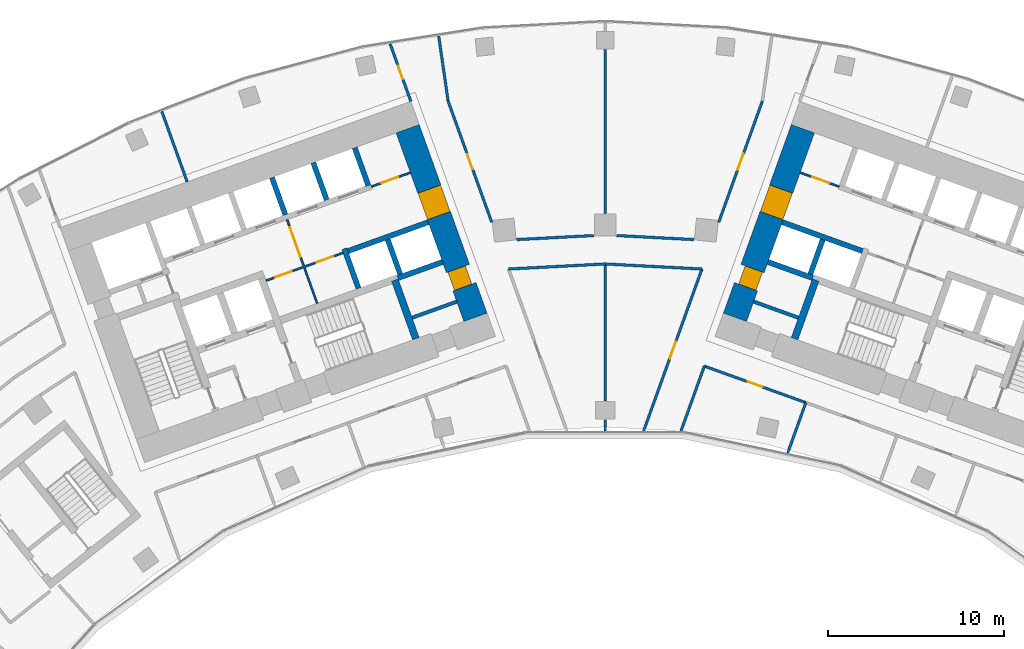
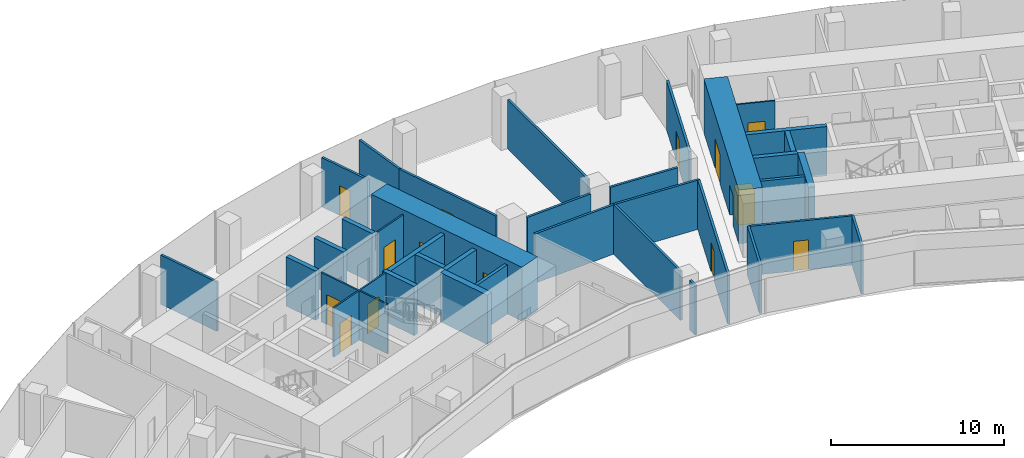
# One storey, part 15 of 21: 36 walls, 14 doors, 14 openings.
"""IFC4 building model written with IfcOpenShell, lengths in metres."""

from ifc_helpers import new_model, si_unit, direction, frame, frame_2d, origin, place, context, subcontext, project, spatial, rectangle, extrude, material, layer, layer_set, type_object, element, fill, save


model = new_model("IFC4")

# Units and contexts
model_context = context("Model", 3, precision=1e-05, world=origin(), true_north=direction((0.0, 1.0)))
body_context = subcontext(model_context, "Body", "Model", "MODEL_VIEW")
ifc_project = project(units=[si_unit("LENGTHUNIT", "METRE"), si_unit("AREAUNIT", "SQUARE_METRE"), si_unit("VOLUMEUNIT", "CUBIC_METRE"), si_unit("PLANEANGLEUNIT", "RADIAN"), si_unit("MASSUNIT", "GRAM", prefix="KILO")], contexts=[model_context])

# Site, building, storey
site_placement = place(None, origin())
site = spatial("IfcSite", under=ifc_project, at=site_placement, CompositionType="ELEMENT")
building_placement = place(site_placement, origin())
building = spatial("IfcBuilding", under=site, at=building_placement, Name="Stone Belt Terrace Tower", CompositionType="ELEMENT")
storey_placement = place(building_placement, frame((0.0, 0.0, 151.60009765625)))
storey = spatial("IfcBuildingStorey", under=building, at=storey_placement, Name="L36", CompositionType="ELEMENT", Elevation=151.60009765625)

# Wall, openings, doors
ifc_material_1 = material(Name="Plasterboard partition")
ifc_layer_1 = layer(ifc_material_1, 0.10009765625)
ifc_layer_set_1 = layer_set([ifc_layer_1], Name="Core partition 100")
wall_type_1 = type_object("IfcWallType", Name="Core partition 100", PredefinedType="PARTITIONING", material=ifc_layer_set_1)
wall_1_placement = place(storey_placement, frame((-19.29052734375, 51.829833984375, 0.0), z_axis=(0.0, 0.0, 1.0), x_axis=(0.940930240745, 0.338600475563, 0.0)))
wall_1 = element("IfcWall", 1, at=wall_1_placement, inside=storey, type_object=wall_type_1, Name="Core A wall", PredefinedType="PARTITIONING", context=body_context, shape_type="SweptSolid", body=[
    extrude(rectangle(XDim=4.64990234375, YDim=0.10009765625, at=frame_2d((2.324951171875, 0.0))), origin(), (0.0, 0.0, 1.0), 3.47998046875),
])
opening_1_placement = place(wall_1_placement, frame((0.550048828125, 0.0, 0.0)))
opening_1 = element("IfcOpeningElement", 2, at=opening_1_placement, cuts=wall_1, Name="Opening L36-C02", PredefinedType="OPENING", context=body_context, shape_type="SweptSolid", body=[
    extrude(rectangle(XDim=1.0, YDim=2.10009765625, at=frame_2d((0.5, 1.050048828125))), frame((0.0, 0.06005859375, 0.0), z_axis=(0.0, -1.0, 0.0), x_axis=(1.0, 0.0, 0.0)), (0.0, 0.0, 1.0), 0.1201171875),
])
opening_2_placement = place(wall_1_placement, frame((3.050048828125, 0.0, 0.0)))
opening_2 = element("IfcOpeningElement", 3, at=opening_2_placement, cuts=wall_1, Name="Opening L36-C03", PredefinedType="OPENING", context=body_context, shape_type="SweptSolid", body=[
    extrude(rectangle(XDim=1.0, YDim=2.10009765625, at=frame_2d((0.5, 1.050048828125))), frame((0.0, 0.06005859375, 0.0), z_axis=(0.0, -1.0, 0.0), x_axis=(1.0, 0.0, 0.0)), (0.0, 0.0, 1.0), 0.1201171875),
])
ifc_material_2 = material(Name="Timber door leaf", Category="wood")
door_type_1 = type_object("IfcDoorType", Name="Core room door 1000", OperationType="SINGLE_SWING_LEFT", PredefinedType="DOOR", material=ifc_material_2)
door_1_placement = place(opening_1_placement, origin())
door_1 = element("IfcDoor", 4, at=door_1_placement, inside=storey, type_object=door_type_1, Name="Door to Services store core A", OperationType="SINGLE_SWING_RIGHT", OverallHeight=2.10009765625, OverallWidth=1.0, PredefinedType="DOOR", context=body_context, shape_type="SweptSolid", body=[
    extrude(rectangle(XDim=1.0, YDim=2.10009765625, at=frame_2d((0.5, 1.050048828125))), frame((0.0, 0.02490234375, 0.0), z_axis=(0.0, -1.0, 0.0), x_axis=(1.0, 0.0, 0.0)), (0.0, 0.0, 1.0), 0.050048828125),
])
fill(opening_1, door_1)
door_2_placement = place(opening_2_placement, origin())
door_2 = element("IfcDoor", 5, at=door_2_placement, inside=storey, type_object=door_type_1, Name="Door to Server room core A", OperationType="SINGLE_SWING_LEFT", OverallHeight=2.10009765625, OverallWidth=1.0, PredefinedType="DOOR", context=body_context, shape_type="SweptSolid", body=[
    extrude(rectangle(XDim=1.0, YDim=2.10009765625, at=frame_2d((0.5, 1.050048828125))), frame((0.0, 0.02490234375, 0.0), z_axis=(0.0, -1.0, 0.0), x_axis=(1.0, 0.0, 0.0)), (0.0, 0.0, 1.0), 0.050048828125),
])
fill(opening_2, door_2)

# Wall, opening, door
wall_2_placement = place(storey_placement, frame((-16.38134765625, 50.53857421875, 0.0), z_axis=(0.0, 0.0, 1.0), x_axis=(-0.33860476744, 0.940928696271, 0.0)))
wall_2 = element("IfcWall", 6, at=wall_2_placement, inside=storey, type_object=wall_type_1, Name="Core A wall", PredefinedType="PARTITIONING", context=body_context, shape_type="SweptSolid", body=[
    extrude(rectangle(XDim=5.050048828125, YDim=0.10009765625, at=frame_2d((2.52490234375, 0.0))), origin(), (0.0, 0.0, 1.0), 3.47998046875),
])
opening_3_placement = place(wall_2_placement, frame((2.800048828125, 0.0, 0.0)))
opening_3 = element("IfcOpeningElement", 7, at=opening_3_placement, cuts=wall_2, Name="Opening L36-C06", PredefinedType="OPENING", context=body_context, shape_type="SweptSolid", body=[
    extrude(rectangle(XDim=1.800048828125, YDim=2.10009765625, at=frame_2d((0.89990234375, 1.050048828125))), frame((0.0, 0.06005859375, 0.0), z_axis=(0.0, -1.0, 0.0), x_axis=(1.0, 0.0, 0.0)), (0.0, 0.0, 1.0), 0.1201171875),
])
ifc_material_3 = material(Name="Glazed aluminium door leaf", Category="aluminium")
door_type_2 = type_object("IfcDoorType", Name="Lift lobby entrance door 1800", OperationType="DOUBLE_DOOR_SINGLE_SWING", PredefinedType="DOOR", material=ifc_material_3)
door_3_placement = place(opening_3_placement, origin())
door_3 = element("IfcDoor", 8, at=door_3_placement, inside=storey, type_object=door_type_2, Name="Lift lobby double door core A", OperationType="DOUBLE_DOOR_SINGLE_SWING", OverallHeight=2.10009765625, OverallWidth=1.800048828125, PredefinedType="DOOR", context=body_context, shape_type="SweptSolid", body=[
    extrude(rectangle(XDim=1.800048828125, YDim=2.10009765625, at=frame_2d((0.89990234375, 1.050048828125))), frame((0.0, 0.02490234375, 0.0), z_axis=(0.0, -1.0, 0.0), x_axis=(1.0, 0.0, 0.0)), (0.0, 0.0, 1.0), 0.050048828125),
])
fill(opening_3, door_3)

wall_3_placement = place(storey_placement, frame((-13.29638671875, 57.17529296875, 0.0), z_axis=(0.0, 0.0, 1.0), x_axis=(0.940904627055, 0.338671644496, 0.0)))
wall_3 = element("IfcWall", 9, at=wall_3_placement, inside=storey, type_object=wall_type_1, Name="Core A wall", PredefinedType="PARTITIONING", context=body_context, shape_type="SweptSolid", body=[
    extrude(rectangle(XDim=2.35009765625, YDim=0.10009765625, at=frame_2d((1.175048828125, 0.0))), origin(), (0.0, 0.0, 1.0), 3.47998046875),
])
opening_4_placement = place(wall_3_placement, frame((0.60009765625, 0.0, 0.0)))
opening_4 = element("IfcOpeningElement", 10, at=opening_4_placement, cuts=wall_3, Name="Opening L36-C01", PredefinedType="OPENING", context=body_context, shape_type="SweptSolid", body=[
    extrude(rectangle(XDim=1.0, YDim=2.10009765625, at=frame_2d((0.5, 1.050048828125))), frame((0.0, 0.06005859375, 0.0), z_axis=(0.0, -1.0, 0.0), x_axis=(1.0, 0.0, 0.0)), (0.0, 0.0, 1.0), 0.1201171875),
])
door_4_placement = place(opening_4_placement, origin())
door_4 = element("IfcDoor", 11, at=door_4_placement, inside=storey, type_object=door_type_1, Name="Door to Ventilation plant room core A", OperationType="SINGLE_SWING_RIGHT", OverallHeight=2.10009765625, OverallWidth=1.0, PredefinedType="DOOR", context=body_context, shape_type="SweptSolid", body=[
    extrude(rectangle(XDim=1.0, YDim=2.10009765625, at=frame_2d((0.5, 1.050048828125))), frame((0.0, 0.02490234375, 0.0), z_axis=(0.0, -1.0, 0.0), x_axis=(1.0, 0.0, 0.0)), (0.0, 0.0, 1.0), 0.050048828125),
])
fill(opening_4, door_4)

wall_4_placement = place(storey_placement, frame((13.29638671875, 57.17529296875, 0.0), z_axis=(0.0, 0.0, 1.0), x_axis=(-0.940904627055, 0.338671644496, 0.0)))
wall_4 = element("IfcWall", 12, at=wall_4_placement, inside=storey, type_object=wall_type_1, Name="Core B wall", PredefinedType="PARTITIONING", context=body_context, shape_type="SweptSolid", body=[
    extrude(rectangle(XDim=2.35009765625, YDim=0.10009765625, at=frame_2d((1.175048828125, 0.0))), origin(), (0.0, 0.0, 1.0), 3.47998046875),
])
opening_5_placement = place(wall_4_placement, frame((0.60009765625, 0.0, 0.0)))
opening_5 = element("IfcOpeningElement", 13, at=opening_5_placement, cuts=wall_4, Name="Opening L36-C15", PredefinedType="OPENING", context=body_context, shape_type="SweptSolid", body=[
    extrude(rectangle(XDim=1.0, YDim=2.10009765625, at=frame_2d((0.5, 1.050048828125))), frame((0.0, 0.06005859375, 0.0), z_axis=(0.0, -1.0, 0.0), x_axis=(1.0, 0.0, 0.0)), (0.0, 0.0, 1.0), 0.1201171875),
])
door_5_placement = place(opening_5_placement, origin())
door_5 = element("IfcDoor", 14, at=door_5_placement, inside=storey, type_object=door_type_1, Name="Door to Ventilation plant room core B", OperationType="SINGLE_SWING_LEFT", OverallHeight=2.10009765625, OverallWidth=1.0, PredefinedType="DOOR", context=body_context, shape_type="SweptSolid", body=[
    extrude(rectangle(XDim=1.0, YDim=2.10009765625, at=frame_2d((0.5, 1.050048828125))), frame((0.0, 0.02490234375, 0.0), z_axis=(0.0, -1.0, 0.0), x_axis=(1.0, 0.0, 0.0)), (0.0, 0.0, 1.0), 0.050048828125),
])
fill(opening_5, door_5)

# Wall, openings, doors
ifc_material_4 = material(Name="Concrete B80", Category="concrete")
ifc_layer_2 = layer(ifc_material_4, 1.39990234375)
ifc_layer_set_2 = layer_set([ifc_layer_2], Name="Core wall 1400 B80")
wall_type_2 = type_object("IfcWallType", Name="Core wall 1400 B80", PredefinedType="SHEAR", material=ifc_layer_set_2)
wall_5_placement = place(storey_placement, frame((-7.379150390625, 49.73974609375, 0.0), z_axis=(0.0, 0.0, 1.0), x_axis=(-0.338625431531, 0.940921259788, 0.0)))
wall_5 = element("IfcWall", 15, at=wall_5_placement, inside=storey, type_object=wall_type_2, Name="Core A wall end_b L36", PredefinedType="SHEAR", context=body_context, shape_type="SweptSolid", body=[
    extrude(rectangle(XDim=11.400146484375, YDim=1.39990234375, at=frame_2d((5.7001953125, 0.0))), origin(), (0.0, 0.0, 1.0), 3.7998046875),
])
opening_6_placement = place(wall_5_placement, frame((6.14990234375, 0.0, 0.0)))
opening_6 = element("IfcOpeningElement", 16, at=opening_6_placement, cuts=wall_5, Name="Opening L36-C07", PredefinedType="OPENING", context=body_context, shape_type="SweptSolid", body=[
    extrude(rectangle(XDim=1.60009765625, YDim=2.10009765625, at=frame_2d((0.800048828125, 1.050048828125))), frame((0.0, 0.7099609375, 0.0), z_axis=(0.0, -1.0, 0.0), x_axis=(1.0, 0.0, 0.0)), (0.0, 0.0, 1.0), 1.419921875),
])
opening_7_placement = place(wall_5_placement, frame((1.85009765625, 0.0, 0.0)))
opening_7 = element("IfcOpeningElement", 17, at=opening_7_placement, cuts=wall_5, Name="Opening L36-C13", PredefinedType="OPENING", context=body_context, shape_type="SweptSolid", body=[
    extrude(rectangle(XDim=1.10009765625, YDim=2.10009765625, at=frame_2d((0.550048828125, 1.050048828125))), frame((0.0, 0.7099609375, 0.0), z_axis=(0.0, -1.0, 0.0), x_axis=(1.0, 0.0, 0.0)), (0.0, 0.0, 1.0), 1.419921875),
])
door_type_3 = type_object("IfcDoorType", Name="Core room door 1100", OperationType="SINGLE_SWING_LEFT", PredefinedType="DOOR", material=ifc_material_2)
door_6_placement = place(opening_7_placement, origin())
door_6 = element("IfcDoor", 18, at=door_6_placement, inside=storey, type_object=door_type_3, Name="Door to Accessible WC core A", OperationType="SINGLE_SWING_LEFT", OverallHeight=2.10009765625, OverallWidth=1.10009765625, PredefinedType="DOOR", context=body_context, shape_type="SweptSolid", body=[
    extrude(rectangle(XDim=1.10009765625, YDim=2.10009765625, at=frame_2d((0.550048828125, 1.050048828125))), frame((0.0, 0.60498046875, 0.0), z_axis=(0.0, -1.0, 0.0), x_axis=(1.0, 0.0, 0.0)), (0.0, 0.0, 1.0), 1.050048828125),
])
fill(opening_7, door_6)
door_type_4 = type_object("IfcDoorType", Name="Lift lobby entrance door 1600", OperationType="DOUBLE_DOOR_SINGLE_SWING", PredefinedType="DOOR", material=ifc_material_3)
door_7_placement = place(opening_6_placement, origin())
door_7 = element("IfcDoor", 19, at=door_7_placement, inside=storey, type_object=door_type_4, Name="Lift lobby entrance door core A", OperationType="DOUBLE_DOOR_SINGLE_SWING", OverallHeight=2.10009765625, OverallWidth=1.60009765625, PredefinedType="DOOR", context=body_context, shape_type="SweptSolid", body=[
    extrude(rectangle(XDim=1.60009765625, YDim=2.10009765625, at=frame_2d((0.800048828125, 1.050048828125))), frame((0.0, 0.68017578125, 0.0), z_axis=(0.0, -1.0, 0.0), x_axis=(1.0, 0.0, 0.0)), (0.0, 0.0, 1.0), 1.360107421875),
])
fill(opening_6, door_7)

wall_6_placement = place(storey_placement, frame((7.379150390625, 49.73974609375, 0.0), z_axis=(0.0, 0.0, 1.0), x_axis=(0.338625431531, 0.940921259788, 0.0)))
wall_6 = element("IfcWall", 20, at=wall_6_placement, inside=storey, type_object=wall_type_2, Name="Core B wall end_a L36", PredefinedType="SHEAR", context=body_context, shape_type="SweptSolid", body=[
    extrude(rectangle(XDim=11.400146484375, YDim=1.39990234375, at=frame_2d((5.7001953125, 0.0))), origin(), (0.0, 0.0, 1.0), 3.7998046875),
])
opening_8_placement = place(wall_6_placement, frame((6.14990234375, 0.0, 0.0)))
opening_8 = element("IfcOpeningElement", 21, at=opening_8_placement, cuts=wall_6, Name="Opening L36-C21", PredefinedType="OPENING", context=body_context, shape_type="SweptSolid", body=[
    extrude(rectangle(XDim=1.60009765625, YDim=2.10009765625, at=frame_2d((0.800048828125, 1.050048828125))), frame((0.0, 0.7099609375, 0.0), z_axis=(0.0, -1.0, 0.0), x_axis=(1.0, 0.0, 0.0)), (0.0, 0.0, 1.0), 1.419921875),
])
opening_9_placement = place(wall_6_placement, frame((1.85009765625, 0.0, 0.0)))
opening_9 = element("IfcOpeningElement", 22, at=opening_9_placement, cuts=wall_6, Name="Opening L36-C27", PredefinedType="OPENING", context=body_context, shape_type="SweptSolid", body=[
    extrude(rectangle(XDim=1.10009765625, YDim=2.10009765625, at=frame_2d((0.550048828125, 1.050048828125))), frame((0.0, 0.7099609375, 0.0), z_axis=(0.0, -1.0, 0.0), x_axis=(1.0, 0.0, 0.0)), (0.0, 0.0, 1.0), 1.419921875),
])
door_8_placement = place(opening_9_placement, origin())
door_8 = element("IfcDoor", 23, at=door_8_placement, inside=storey, type_object=door_type_3, Name="Door to Accessible WC core B", OperationType="SINGLE_SWING_RIGHT", OverallHeight=2.10009765625, OverallWidth=1.10009765625, PredefinedType="DOOR", context=body_context, shape_type="SweptSolid", body=[
    extrude(rectangle(XDim=1.10009765625, YDim=2.10009765625, at=frame_2d((0.550048828125, 1.050048828125))), frame((0.0, 0.44482421875, 0.0), z_axis=(0.0, -1.0, 0.0), x_axis=(1.0, 0.0, 0.0)), (0.0, 0.0, 1.0), 1.050048828125),
])
fill(opening_9, door_8)
door_9_placement = place(opening_8_placement, origin())
door_9 = element("IfcDoor", 24, at=door_9_placement, inside=storey, type_object=door_type_4, Name="Lift lobby entrance door core B", OperationType="DOUBLE_DOOR_SINGLE_SWING", OverallHeight=2.10009765625, OverallWidth=1.60009765625, PredefinedType="DOOR", context=body_context, shape_type="SweptSolid", body=[
    extrude(rectangle(XDim=1.60009765625, YDim=2.10009765625, at=frame_2d((0.800048828125, 1.050048828125))), frame((0.0, 0.68017578125, 0.0), z_axis=(0.0, -1.0, 0.0), x_axis=(1.0, 0.0, 0.0)), (0.0, 0.0, 1.0), 1.360107421875),
])
fill(opening_8, door_9)

# Walls
ifc_layer_3 = layer(ifc_material_4, 0.300048828125)
ifc_layer_set_3 = layer_set([ifc_layer_3], Name="Lift shaft wall 300")
wall_type_3 = type_object("IfcWallType", Name="Lift shaft wall 300", PredefinedType="SHEAR", material=ifc_layer_set_3)
wall_7_placement = place(storey_placement, frame((-18.193115234375, 55.572509765625, 0.0), z_axis=(0.0, 0.0, 1.0), x_axis=(-0.338535034312, 0.940953787677, 0.0)))
element("IfcWall", 25, at=wall_7_placement, inside=storey, type_object=wall_type_3, Name="Core A wall", PredefinedType="SHEAR", context=body_context, shape_type="SweptSolid", body=[
    extrude(rectangle(XDim=2.25, YDim=0.300048828125, at=frame_2d((1.125, 0.0))), origin(), (0.0, 0.0, 1.0), 3.47998046875),
])
wall_8_placement = place(storey_placement, frame((-14.029052734375, 51.38525390625, 0.0), z_axis=(0.0, 0.0, 1.0), x_axis=(-0.338661829791, 0.940908159728, 0.0)))
element("IfcWall", 26, at=wall_8_placement, inside=storey, type_object=wall_type_3, Name="Core A wall", PredefinedType="SHEAR", context=body_context, shape_type="SweptSolid", body=[
    extrude(rectangle(XDim=2.39990234375, YDim=0.300048828125, at=frame_2d((1.199951171875, 0.0))), origin(), (0.0, 0.0, 1.0), 3.47998046875),
])
wall_9_placement = place(storey_placement, frame((-14.6328125, 53.506103515625, 0.0), z_axis=(0.0, 0.0, 1.0), x_axis=(0.940931684323, 0.338596464007, 0.0)))
element("IfcWall", 27, at=wall_9_placement, inside=storey, type_object=wall_type_3, Name="Core A wall", PredefinedType="SHEAR", context=body_context, shape_type="SweptSolid", body=[
    extrude(rectangle(XDim=4.849609375, YDim=0.300048828125, at=frame_2d((2.4248046875, 0.0))), origin(), (0.0, 0.0, 1.0), 3.47998046875),
])
wall_10_placement = place(storey_placement, frame((-15.8408203125, 56.419189453125, 0.0), z_axis=(0.0, 0.0, 1.0), x_axis=(-0.338569601369, 0.940941350472, 0.0)))
element("IfcWall", 28, at=wall_10_placement, inside=storey, type_object=wall_type_3, Name="Core A wall", PredefinedType="SHEAR", context=body_context, shape_type="SweptSolid", body=[
    extrude(rectangle(XDim=2.249755859375, YDim=0.300048828125, at=frame_2d((1.125, 0.0))), origin(), (0.0, 0.0, 1.0), 3.47998046875),
])
wall_11_placement = place(storey_placement, frame((-11.797119140625, 51.975830078125, 0.0), z_axis=(0.0, 0.0, 1.0), x_axis=(0.940910465161, 0.33865542451, 0.0)))
element("IfcWall", 29, at=wall_11_placement, inside=storey, type_object=wall_type_3, Name="Core A wall", PredefinedType="SHEAR", context=body_context, shape_type="SweptSolid", body=[
    extrude(rectangle(XDim=2.69970703125, YDim=0.300048828125, at=frame_2d((1.349853515625, 0.0))), origin(), (0.0, 0.0, 1.0), 3.47998046875),
])
wall_12_placement = place(storey_placement, frame((-11.659912109375, 52.184814453125, 0.0), z_axis=(0.0, 0.0, 1.0), x_axis=(-0.338670064856, 0.940905195634, 0.0)))
element("IfcWall", 30, at=wall_12_placement, inside=storey, type_object=wall_type_3, Name="Core A wall", PredefinedType="SHEAR", context=body_context, shape_type="SweptSolid", body=[
    extrude(rectangle(XDim=2.099853515625, YDim=0.300048828125, at=frame_2d((1.0498046875, 0.0))), origin(), (0.0, 0.0, 1.0), 3.47998046875),
])
wall_13_placement = place(storey_placement, frame((-13.471435546875, 57.218505859375, 0.0), z_axis=(0.0, 0.0, 1.0), x_axis=(-0.338587917, 0.940934759939, 0.0)))
element("IfcWall", 31, at=wall_13_placement, inside=storey, type_object=wall_type_3, Name="Core A wall", PredefinedType="SHEAR", context=body_context, shape_type="SweptSolid", body=[
    extrude(rectangle(XDim=2.300048828125, YDim=0.300048828125, at=frame_2d((1.14990234375, 0.0))), origin(), (0.0, 0.0, 1.0), 3.47998046875),
])
wall_14_placement = place(storey_placement, frame((14.6328125, 53.506103515625, 0.0), z_axis=(0.0, 0.0, 1.0), x_axis=(-0.940931684323, 0.338596464007, 0.0)))
element("IfcWall", 32, at=wall_14_placement, inside=storey, type_object=wall_type_3, Name="Core B wall", PredefinedType="SHEAR", context=body_context, shape_type="SweptSolid", body=[
    extrude(rectangle(XDim=4.849609375, YDim=0.300048828125, at=frame_2d((2.4248046875, 0.0))), origin(), (0.0, 0.0, 1.0), 3.47998046875),
])
wall_15_placement = place(storey_placement, frame((11.797119140625, 51.975830078125, 0.0), z_axis=(0.0, 0.0, 1.0), x_axis=(-0.940910465161, 0.33865542451, 0.0)))
element("IfcWall", 33, at=wall_15_placement, inside=storey, type_object=wall_type_3, Name="Core B wall", PredefinedType="SHEAR", context=body_context, shape_type="SweptSolid", body=[
    extrude(rectangle(XDim=2.69970703125, YDim=0.300048828125, at=frame_2d((1.349853515625, 0.0))), origin(), (0.0, 0.0, 1.0), 3.47998046875),
])
wall_16_placement = place(storey_placement, frame((11.659912109375, 52.184814453125, 0.0), z_axis=(0.0, 0.0, 1.0), x_axis=(0.338670064856, 0.940905195634, 0.0)))
element("IfcWall", 34, at=wall_16_placement, inside=storey, type_object=wall_type_3, Name="Core B wall", PredefinedType="SHEAR", context=body_context, shape_type="SweptSolid", body=[
    extrude(rectangle(XDim=2.099853515625, YDim=0.300048828125, at=frame_2d((1.0498046875, 0.0))), origin(), (0.0, 0.0, 1.0), 3.47998046875),
])

# Wall, opening, door
ifc_material_5 = material(Name="Gypsum board partition")
ifc_layer_4 = layer(ifc_material_5, 0.14990234375)
ifc_layer_set_4 = layer_set([ifc_layer_4], Name="PARTITION 150 EI 60")
wall_type_4 = type_object("IfcWallType", Name="PARTITION 150 EI 60", PredefinedType="PARTITIONING", material=ifc_layer_set_4)
wall_17_placement = place(storey_placement, frame((-11.054931640625, 62.02099609375, 0.0), z_axis=(0.0, 0.0, 1.0), x_axis=(-0.338942963923, 0.940806923448, 0.0)))
wall_17 = element("IfcWall", 35, at=wall_17_placement, inside=storey, type_object=wall_type_4, Name="L36/wall/i008", PredefinedType="PARTITIONING", context=body_context, shape_type="SweptSolid", body=[
    extrude(rectangle(XDim=3.481201171875, YDim=0.14990234375, at=frame_2d((1.74072265625, 0.0))), origin(), (0.0, 0.0, 1.0), 3.47998046875),
])
opening_10_placement = place(wall_17_placement, frame((1.340576171875, 0.0, 0.0)))
opening_10 = element("IfcOpeningElement", 36, at=opening_10_placement, cuts=wall_17, Name="Opening D-C1-06", PredefinedType="OPENING", context=body_context, shape_type="SweptSolid", body=[
    extrude(rectangle(XDim=0.800048828125, YDim=2.10009765625, at=frame_2d((0.39990234375, 1.050048828125))), frame((0.0, 0.0849609375, 0.0), z_axis=(0.0, -1.0, 0.0), x_axis=(1.0, 0.0, 0.0)), (0.0, 0.0, 1.0), 0.169921875),
])
door_type_5 = type_object("IfcDoorType", Name="STORE DOOR 800 X 2100", OperationType="NOTDEFINED", PredefinedType="DOOR", material=ifc_material_2)
door_10_placement = place(opening_10_placement, origin())
door_10 = element("IfcDoor", 37, at=door_10_placement, inside=storey, type_object=door_type_5, Name="L36/door/i06", OperationType="SINGLE_SWING_RIGHT", OverallHeight=2.10009765625, OverallWidth=0.800048828125, PredefinedType="DOOR", context=body_context, shape_type="SweptSolid", body=[
    extrude(rectangle(XDim=0.800048828125, YDim=2.10009765625, at=frame_2d((0.39990234375, 1.050048828125))), frame((0.0, 0.02490234375, 0.0), z_axis=(0.0, -1.0, 0.0), x_axis=(1.0, 0.0, 0.0)), (0.0, 0.0, 1.0), 0.050048828125),
])
fill(opening_10, door_10)

# Wall
wall_18_placement = place(storey_placement, frame((-9.47021484375, 65.736083984375, 0.0), z_axis=(0.0, 0.0, 1.0), x_axis=(0.14267653425, -0.989769370396, 0.0)))
element("IfcWall", 38, at=wall_18_placement, inside=storey, type_object=wall_type_4, Name="L36/wall/i010", PredefinedType="PARTITIONING", context=body_context, shape_type="SweptSolid", body=[
    extrude(rectangle(XDim=3.730224609375, YDim=0.14990234375, at=frame_2d((1.865234375, 0.0))), origin(), (0.0, 0.0, 1.0), 3.47998046875),
])

# Wall, opening, door
wall_19_placement = place(storey_placement, frame((-8.93798828125, 62.04296875, 0.0), z_axis=(0.0, 0.0, 1.0), x_axis=(0.338603971116, -0.940928982838, 0.0)))
wall_19 = element("IfcWall", 39, at=wall_19_placement, inside=storey, type_object=wall_type_4, Name="L36/wall/i011", PredefinedType="PARTITIONING", context=body_context, shape_type="SweptSolid", body=[
    extrude(rectangle(XDim=7.335693359375, YDim=0.14990234375, at=frame_2d((3.66796875, 0.0))), origin(), (0.0, 0.0, 1.0), 3.47998046875),
])
opening_11_placement = place(wall_19_placement, frame((3.218017578125, 0.0, 0.0)))
opening_11 = element("IfcOpeningElement", 40, at=opening_11_placement, cuts=wall_19, Name="Opening D-C1-28", PredefinedType="OPENING", context=body_context, shape_type="SweptSolid", body=[
    extrude(rectangle(XDim=0.89990234375, YDim=2.10009765625, at=frame_2d((0.449951171875, 1.050048828125))), frame((0.0, 0.0849609375, 0.0), z_axis=(0.0, -1.0, 0.0), x_axis=(1.0, 0.0, 0.0)), (0.0, 0.0, 1.0), 0.169921875),
])
door_type_6 = type_object("IfcDoorType", Name="OFFICE DOOR 900 X 2100", OperationType="NOTDEFINED", PredefinedType="DOOR", material=ifc_material_2)
door_11_placement = place(opening_11_placement, origin())
door_11 = element("IfcDoor", 41, at=door_11_placement, inside=storey, type_object=door_type_6, Name="L36/door/i28", OperationType="SINGLE_SWING_RIGHT", OverallHeight=2.10009765625, OverallWidth=0.89990234375, PredefinedType="DOOR", context=body_context, shape_type="SweptSolid", body=[
    extrude(rectangle(XDim=0.89990234375, YDim=2.10009765625, at=frame_2d((0.449951171875, 1.050048828125))), frame((0.0, 0.02490234375, 0.0), z_axis=(0.0, -1.0, 0.0), x_axis=(1.0, 0.0, 0.0)), (0.0, 0.0, 1.0), 0.050048828125),
])
fill(opening_11, door_11)

# Walls
wall_20_placement = place(storey_placement, frame((-25.21875, 61.4521484375, 0.0), z_axis=(0.0, 0.0, 1.0), x_axis=(0.338640335261, -0.940915895994, 0.0)))
element("IfcWall", 42, at=wall_20_placement, inside=storey, type_object=wall_type_4, Name="L36/wall/i020", PredefinedType="PARTITIONING", context=body_context, shape_type="SweptSolid", body=[
    extrude(rectangle(XDim=4.2607421875, YDim=0.14990234375, at=frame_2d((2.13037109375, 0.0))), origin(), (0.0, 0.0, 1.0), 3.47998046875),
])
wall_21_placement = place(storey_placement, frame((5.638916015625, 46.971923828125, 0.0), z_axis=(0.0, 0.0, 1.0), x_axis=(-0.338569683937, -0.940941320763, 0.0)))
element("IfcWall", 43, at=wall_21_placement, inside=storey, type_object=wall_type_4, Name="L36/wall/i021", PredefinedType="PARTITIONING", context=body_context, shape_type="SweptSolid", body=[
    extrude(rectangle(XDim=3.9248046875, YDim=0.14990234375, at=frame_2d((1.96240234375, 0.0))), origin(), (0.0, 0.0, 1.0), 3.47998046875),
])

# Wall, opening, door
wall_22_placement = place(storey_placement, frame((2.178466796875, 43.26171875, 0.0), z_axis=(0.0, 0.0, 1.0), x_axis=(0.338654259988, 0.940910884299, 0.0)))
wall_22 = element("IfcWall", 44, at=wall_22_placement, inside=storey, type_object=wall_type_4, Name="L36/wall/i023", PredefinedType="PARTITIONING", context=body_context, shape_type="SweptSolid", body=[
    extrude(rectangle(XDim=9.81103515625, YDim=0.14990234375, at=frame_2d((4.905517578125, 0.0))), origin(), (0.0, 0.0, 1.0), 3.47998046875),
])
opening_12_placement = place(wall_22_placement, frame((4.405517578125, 0.0, 0.0)))
opening_12 = element("IfcOpeningElement", 45, at=opening_12_placement, cuts=wall_22, Name="Opening D-C1-27", PredefinedType="OPENING", context=body_context, shape_type="SweptSolid", body=[
    extrude(rectangle(XDim=1.0, YDim=2.10009765625, at=frame_2d((0.5, 1.050048828125))), frame((0.0, 0.0849609375, 0.0), z_axis=(0.0, -1.0, 0.0), x_axis=(1.0, 0.0, 0.0)), (0.0, 0.0, 1.0), 0.169921875),
])
ifc_material_6 = material(Name="Timber fire door leaf", Category="wood")
door_type_7 = type_object("IfcDoorType", Name="TENANCY ENTRANCE DOOR 1000 X 2100", OperationType="NOTDEFINED", PredefinedType="DOOR", material=ifc_material_6)
door_12_placement = place(opening_12_placement, origin())
door_12 = element("IfcDoor", 46, at=door_12_placement, inside=storey, type_object=door_type_7, Name="L36/door/i27", OperationType="SINGLE_SWING_LEFT", OverallHeight=2.10009765625, OverallWidth=1.0, PredefinedType="DOOR", context=body_context, shape_type="SweptSolid", body=[
    extrude(rectangle(XDim=1.0, YDim=2.10009765625, at=frame_2d((0.5, 1.050048828125))), frame((0.0, 0.02490234375, 0.0), z_axis=(0.0, -1.0, 0.0), x_axis=(1.0, 0.0, 0.0)), (0.0, 0.0, 1.0), 0.050048828125),
])
fill(opening_12, door_12)

wall_23_placement = place(storey_placement, frame((6.4541015625, 55.140625, 0.0), z_axis=(0.0, 0.0, 1.0), x_axis=(0.338603971116, 0.940928982838, 0.0)))
wall_23 = element("IfcWall", 47, at=wall_23_placement, inside=storey, type_object=wall_type_4, Name="L36/wall/i024", PredefinedType="PARTITIONING", context=body_context, shape_type="SweptSolid", body=[
    extrude(rectangle(XDim=7.335693359375, YDim=0.14990234375, at=frame_2d((3.66796875, 0.0))), origin(), (0.0, 0.0, 1.0), 3.47998046875),
])
opening_13_placement = place(wall_23_placement, frame((3.16796875, 0.0, 0.0)))
opening_13 = element("IfcOpeningElement", 48, at=opening_13_placement, cuts=wall_23, Name="Opening D-C1-29", PredefinedType="OPENING", context=body_context, shape_type="SweptSolid", body=[
    extrude(rectangle(XDim=1.0, YDim=2.10009765625, at=frame_2d((0.5, 1.050048828125))), frame((0.0, 0.0849609375, 0.0), z_axis=(0.0, -1.0, 0.0), x_axis=(1.0, 0.0, 0.0)), (0.0, 0.0, 1.0), 0.169921875),
])
door_13_placement = place(opening_13_placement, origin())
door_13 = element("IfcDoor", 49, at=door_13_placement, inside=storey, type_object=door_type_7, Name="L36/door/i29", OperationType="SINGLE_SWING_RIGHT", OverallHeight=2.10009765625, OverallWidth=1.0, PredefinedType="DOOR", context=body_context, shape_type="SweptSolid", body=[
    extrude(rectangle(XDim=1.0, YDim=2.10009765625, at=frame_2d((0.5, 1.050048828125))), frame((0.0, 0.02490234375, 0.0), z_axis=(0.0, -1.0, 0.0), x_axis=(1.0, 0.0, 0.0)), (0.0, 0.0, 1.0), 0.050048828125),
])
fill(opening_13, door_13)

wall_24_placement = place(storey_placement, frame((11.4140625, 44.886962890625, 0.0), z_axis=(0.0, 0.0, 1.0), x_axis=(-0.940921369365, 0.338625127055, 0.0)))
wall_24 = element("IfcWall", 50, at=wall_24_placement, inside=storey, type_object=wall_type_4, Name="L36/wall/i032", PredefinedType="PARTITIONING", context=body_context, shape_type="SweptSolid", body=[
    extrude(rectangle(XDim=6.139892578125, YDim=0.14990234375, at=frame_2d((3.06982421875, 0.0))), origin(), (0.0, 0.0, 1.0), 3.47998046875),
])
opening_14_placement = place(wall_24_placement, frame((2.619873046875, 0.0, 0.0)))
opening_14 = element("IfcOpeningElement", 51, at=opening_14_placement, cuts=wall_24, Name="Opening D-C1-07", PredefinedType="OPENING", context=body_context, shape_type="SweptSolid", body=[
    extrude(rectangle(XDim=0.89990234375, YDim=2.10009765625, at=frame_2d((0.449951171875, 1.050048828125))), frame((0.0, 0.0849609375, 0.0), z_axis=(0.0, -1.0, 0.0), x_axis=(1.0, 0.0, 0.0)), (0.0, 0.0, 1.0), 0.169921875),
])
door_14_placement = place(opening_14_placement, origin())
door_14 = element("IfcDoor", 52, at=door_14_placement, inside=storey, type_object=door_type_6, Name="L36/door/i07", OperationType="SINGLE_SWING_RIGHT", OverallHeight=2.10009765625, OverallWidth=0.89990234375, PredefinedType="DOOR", context=body_context, shape_type="SweptSolid", body=[
    extrude(rectangle(XDim=0.89990234375, YDim=2.10009765625, at=frame_2d((0.449951171875, 1.050048828125))), frame((0.0, 0.02490234375, 0.0), z_axis=(0.0, -1.0, 0.0), x_axis=(1.0, 0.0, 0.0)), (0.0, 0.0, 1.0), 0.050048828125),
])
fill(opening_14, door_14)

# Walls
wall_25_placement = place(storey_placement, frame((11.407958984375, 44.888916015625, 0.0), z_axis=(0.0, 0.0, 1.0), x_axis=(-0.338691088302, -0.940897628175, 0.0)))
element("IfcWall", 53, at=wall_25_placement, inside=storey, type_object=wall_type_4, Name="L36/wall/i036", PredefinedType="PARTITIONING", context=body_context, shape_type="SweptSolid", body=[
    extrude(rectangle(XDim=3.046142578125, YDim=0.14990234375, at=frame_2d((1.52294921875, 0.0))), origin(), (0.0, 0.0, 1.0), 3.47998046875),
])
for number, where, z_axis, x_axis, name in (
    (54, (0.0, 52.77490234375, 0.0), (0.0, 0.0, 1.0), (-0.998632852887, -0.052272604047, 0.0), "L36/wall/i080"),
    (55, (5.4990234375, 52.487060546875, 0.0), (0.0, 0.0, 1.0), (-0.998632852887, 0.052272604047, 0.0), "L36/wall/i081"),
):
    element("IfcWall", number, at=place(storey_placement, frame(where, z_axis=z_axis, x_axis=x_axis)), inside=storey, type_object=wall_type_4, Name=name, PredefinedType="PARTITIONING", context=body_context, shape_type="SweptSolid", body=[
        extrude(rectangle(XDim=5.506591796875, YDim=0.14990234375, at=frame_2d((2.75341796875, 0.0))), origin(), (0.0, 0.0, 1.0), 3.47998046875),
    ])
for number, where, z_axis, x_axis, name in (
    (56, (-5.033935546875, 54.161376953125, 0.0), (0.0, 0.0, 1.0), (0.998632402253, 0.052281212406, 0.0), "L36/wall/i082"),
    (57, (0.655029296875, 54.390625, 0.0), (0.0, 0.0, 1.0), (0.998632402253, -0.052281212406, 0.0), "L36/wall/i083"),
):
    element("IfcWall", number, at=place(storey_placement, frame(where, z_axis=z_axis, x_axis=x_axis)), inside=storey, type_object=wall_type_4, Name=name, PredefinedType="PARTITIONING", context=body_context, shape_type="SweptSolid", body=[
        extrude(rectangle(XDim=4.385009765625, YDim=0.14990234375, at=frame_2d((2.1923828125, 0.0))), origin(), (0.0, 0.0, 1.0), 3.47998046875),
    ])
wall_26_placement = place(storey_placement, frame((0.0, 52.77490234375, 0.0), z_axis=(0.0, 0.0, 1.0), x_axis=(0.0, -1.0, 0.0)))
element("IfcWall", 58, at=wall_26_placement, inside=storey, type_object=wall_type_4, Name="L36/wall/i084", PredefinedType="PARTITIONING", context=body_context, shape_type="SweptSolid", body=[
    extrude(rectangle(XDim=7.7998046875, YDim=0.14990234375, at=frame_2d((3.89990234375, 0.0))), origin(), (0.0, 0.0, 1.0), 3.47998046875),
])
wall_27_placement = place(storey_placement, frame((0.0, 43.9150390625, 0.0), z_axis=(0.0, 0.0, 1.0), x_axis=(0.0, -1.0, 0.0)))
element("IfcWall", 59, at=wall_27_placement, inside=storey, type_object=wall_type_4, Name="L36/wall/i085", PredefinedType="PARTITIONING", context=body_context, shape_type="SweptSolid", body=[
    extrude(rectangle(XDim=0.6533203125, YDim=0.14990234375, at=frame_2d((0.32666015625, 0.0))), origin(), (0.0, 0.0, 1.0), 3.47998046875),
])
wall_28_placement = place(storey_placement, frame((0.0, 64.958984375, 0.0), z_axis=(0.0, 0.0, 1.0), x_axis=(0.0, -1.0, 0.0)))
element("IfcWall", 60, at=wall_28_placement, inside=storey, type_object=wall_type_4, Name="L36/wall/i087", PredefinedType="PARTITIONING", context=body_context, shape_type="SweptSolid", body=[
    extrude(rectangle(XDim=9.303955078125, YDim=0.14990234375, at=frame_2d((4.65185546875, 0.0))), origin(), (0.0, 0.0, 1.0), 3.47998046875),
])
ifc_material_7 = material(Name="Concrete masonry block", Category="masonry")
ifc_layer_5 = layer(ifc_material_7, 0.199951171875)
ifc_layer_set_5 = layer_set([ifc_layer_5], Name="Rated lobby wall 200")
wall_type_5 = type_object("IfcWallType", Name="Rated lobby wall 200", PredefinedType="PARTITIONING", material=ifc_layer_set_5)
for number, where, z_axis, x_axis, name in (
    (61, (-10.984619140625, 49.717529296875, 0.0), (0.0, 0.0, 1.0), (0.940920834877, 0.338626612206, 0.0), "Core A wall"),
    (62, (10.984619140625, 49.717529296875, 0.0), (0.0, 0.0, 1.0), (-0.940920834877, 0.338626612206, 0.0), "Core B wall"),
):
    element("IfcWall", number, at=place(storey_placement, frame(where, z_axis=z_axis, x_axis=x_axis)), inside=storey, type_object=wall_type_5, Name=name, PredefinedType="PARTITIONING", context=body_context, shape_type="SweptSolid", body=[
        extrude(rectangle(XDim=2.699951171875, YDim=0.199951171875, at=frame_2d((1.35009765625, 0.0))), origin(), (0.0, 0.0, 1.0), 3.47998046875),
    ])
ifc_layer_6 = layer(ifc_material_4, 0.39990234375)
ifc_layer_set_6 = layer_set([ifc_layer_6], Name="Stair enclosure wall 400")
wall_type_6 = type_object("IfcWallType", Name="Stair enclosure wall 400", PredefinedType="SHEAR", material=ifc_layer_set_6)
for number, where, z_axis, x_axis, name in (
    (63, (-10.766357421875, 48.520751953125, 0.0), (0.0, 0.0, 1.0), (-0.338626928157, 0.94092072117, 0.0), "Core A wall"),
    (64, (10.766357421875, 48.520751953125, 0.0), (0.0, 0.0, 1.0), (0.338626928157, 0.94092072117, 0.0), "Core B wall"),
):
    element("IfcWall", number, at=place(storey_placement, frame(where, z_axis=z_axis, x_axis=x_axis)), inside=storey, type_object=wall_type_6, Name=name, PredefinedType="SHEAR", context=body_context, shape_type="SweptSolid", body=[
        extrude(rectangle(XDim=3.550048828125, YDim=0.39990234375, at=frame_2d((1.77490234375, 0.0))), origin(), (0.0, 0.0, 1.0), 3.47998046875),
    ])

save(model, "model.ifc")
